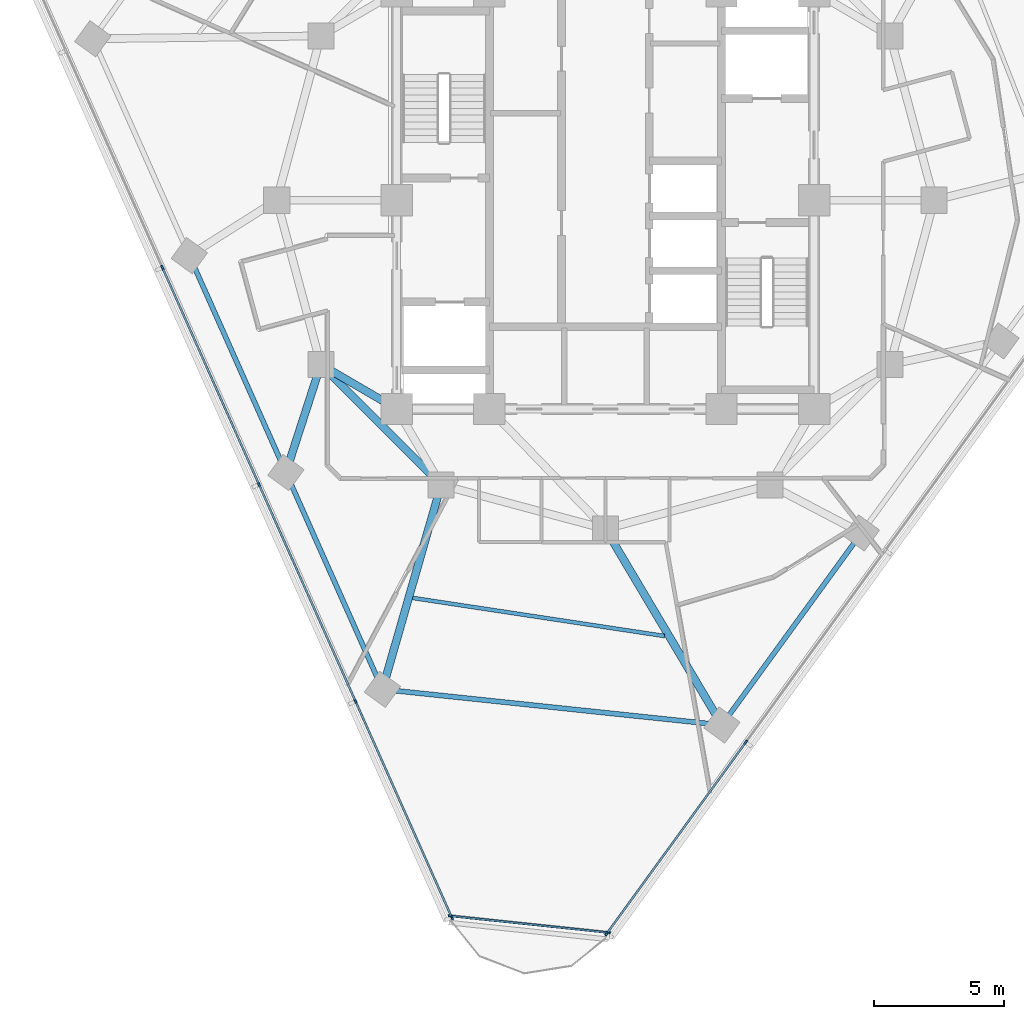
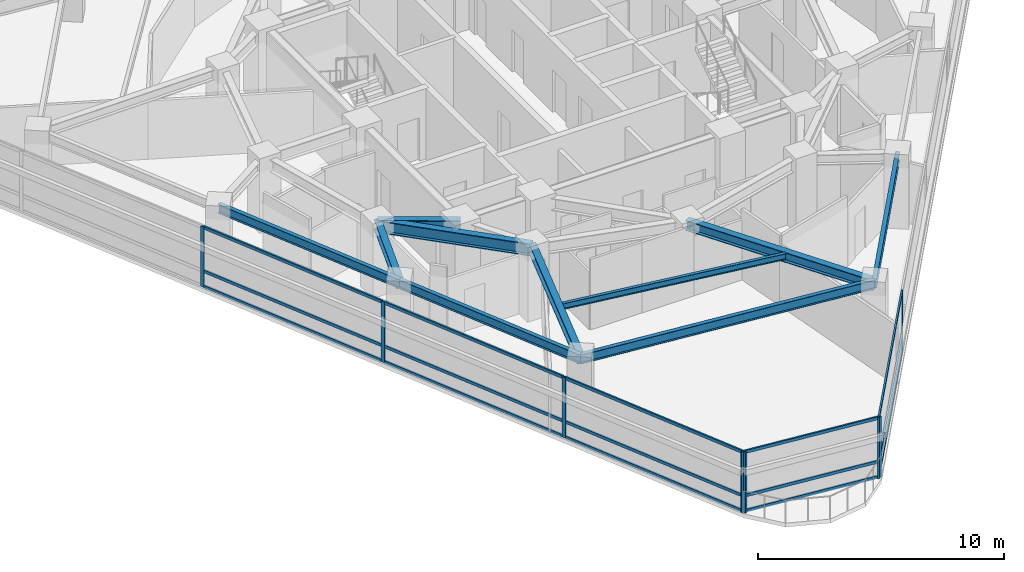
# One storey, part 2 of 15: 23 members, 10 beams, 3 elements without a shape of their own.
"""IFC4 building model written with IfcOpenShell, lengths in metres."""

from ifc_helpers import new_model, si_unit, direction, frame, origin, origin_2d, place, context, subcontext, project, spatial, rectangle, i_section, extrude, material, layer, layer_set, material_profile, profile_set, type_object, element, aggregate, save


model = new_model("IFC4")

# Units and contexts
model_context = context("Model", 3, precision=1e-05, world=origin(), true_north=direction((0.0, 1.0)))
body_context = subcontext(model_context, "Body", "Model", "MODEL_VIEW")
ifc_project = project(units=[si_unit("LENGTHUNIT", "METRE"), si_unit("AREAUNIT", "SQUARE_METRE"), si_unit("VOLUMEUNIT", "CUBIC_METRE"), si_unit("PLANEANGLEUNIT", "RADIAN"), si_unit("MASSUNIT", "GRAM", prefix="KILO")], contexts=[model_context])

# Site, building, storey
site_placement = place(None, origin())
site = spatial("IfcSite", under=ifc_project, at=site_placement, CompositionType="ELEMENT")
building_placement = place(site_placement, origin())
building = spatial("IfcBuilding", under=site, at=building_placement, Name="Terralouvre Media Tower", CompositionType="ELEMENT")
storey_placement = place(building_placement, frame((0.0, 0.0, 237.39990234375)))
storey = spatial("IfcBuildingStorey", under=building, at=storey_placement, Name="L61", CompositionType="ELEMENT", Elevation=237.39990234375)

# Beam
ifc_material_1 = material(Name="Structural steel S355J2", Category="steel")
ifc_material_profile_1 = material_profile(ifc_material_1, i_section(OverallWidth=0.14990234375, OverallDepth=0.300048828125, WebThickness=0.007080078125, FlangeThickness=0.0107421875, at=origin_2d()), Name="IPE 300")
ifc_profile_set_1 = profile_set([ifc_material_profile_1], Name="Structural steel S355J2")
beam_type_1 = type_object("IfcBeamType", Name="Composite Floor Joist J-IPE300 (IPE 300)", PredefinedType="JOIST", material=ifc_profile_set_1)
beam_1_placement = place(storey_placement, frame((-7.38818359375, -15.244140625, 3.35009765625), z_axis=(0.988745338641, -0.149608339726, 0.0), x_axis=(0.149608339726, 0.988745338641, 0.0)))
element("IfcBeam", 1, at=beam_1_placement, inside=storey, type_object=beam_type_1, Name="L61 Framing Beam JT-L61-01", PredefinedType="JOIST", context=body_context, shape_type="SweptSolid", body=[
    extrude(i_section(OverallWidth=0.14990234375, OverallDepth=0.300048828125, WebThickness=0.007080078125, FlangeThickness=0.0107421875, at=origin_2d()), origin(), (0.0, 0.0, 1.0), 9.763427734375),
])

# Curtain wall, members
ifc_material_2 = material(Name="Low-iron laminated double glazing with solar-control coating", Category="glass")
ifc_layer_1 = layer(ifc_material_2, 0.1650390625, Name="Upper Executive Tower Curtain Wall CW-05")
ifc_layer_set_1 = layer_set([ifc_layer_1], Name="Low-iron laminated double glazing with solar-control coating")
curtain_wall_type_1 = type_object("IfcCurtainWallType", Name="Upper Executive Tower Curtain Wall CW-05", PredefinedType="NOTDEFINED", material=ifc_layer_set_1)
curtain_wall_1_placement = place(storey_placement, origin())
curtain_wall_1 = element("IfcCurtainWall", 2, at=curtain_wall_1_placement, inside=storey, type_object=curtain_wall_type_1, Name="L61 Facade Curtain Wall F0", PredefinedType="NOTDEFINED")
ifc_material_3 = material(Name="Anodised extruded aluminium 6063-T6", Category="aluminium")
ifc_material_profile_2 = material_profile(ifc_material_3, rectangle(XDim=0.074951171875, YDim=0.14990234375, at=origin_2d()), Name="ALU 75x150")
ifc_profile_set_2 = profile_set([ifc_material_profile_2], Name="Anodised extruded aluminium 6063-T6")
member_type_1 = type_object("IfcMemberType", Name="Curtain-Wall Horizontal Transom TR-150", PredefinedType="USERDEFINED", material=ifc_profile_set_2)
member_1_placement = place(storey_placement, frame((0.072998046875, -28.0810546875, 0.03759765625), z_axis=(0.587774298355, 0.809024952763, 0.0), x_axis=(-0.809024952763, 0.587774298355, 0.0)))
member_1 = element("IfcMember", 3, at=member_1_placement, type_object=member_type_1, Name="CW-05 transom 1.1", ObjectType="TRANSOM", PredefinedType="USERDEFINED", context=body_context, shape_type="SweptSolid", body=[
    extrude(rectangle(XDim=0.074951171875, YDim=0.14990234375, at=origin_2d()), origin(), (0.0, 0.0, 1.0), 8.987548828125),
])
member_2_placement = place(storey_placement, frame((0.072998046875, -28.0810546875, 0.800048828125), z_axis=(0.587774298355, 0.809024952763, 0.0), x_axis=(-0.809024952763, 0.587774298355, 0.0)))
member_2 = element("IfcMember", 4, at=member_2_placement, type_object=member_type_1, Name="CW-05 transom 1.2", ObjectType="TRANSOM", PredefinedType="USERDEFINED", context=body_context, shape_type="SweptSolid", body=[
    extrude(rectangle(XDim=0.074951171875, YDim=0.14990234375, at=origin_2d()), origin(), (0.0, 0.0, 1.0), 8.987548828125),
])
member_3_placement = place(storey_placement, frame((0.072998046875, -28.0810546875, 2.962646484375), z_axis=(0.587774298355, 0.809024952763, 0.0), x_axis=(-0.809024952763, 0.587774298355, 0.0)))
member_3 = element("IfcMember", 5, at=member_3_placement, type_object=member_type_1, Name="CW-05 transom 1.3", ObjectType="TRANSOM", PredefinedType="USERDEFINED", context=body_context, shape_type="SweptSolid", body=[
    extrude(rectangle(XDim=0.074951171875, YDim=0.14990234375, at=origin_2d()), origin(), (0.0, 0.0, 1.0), 8.987548828125),
])

curtain_wall_2_placement = place(storey_placement, origin())
curtain_wall_2 = element("IfcCurtainWall", 6, at=curtain_wall_2_placement, inside=storey, type_object=curtain_wall_type_1, Name="L61 Facade Curtain Wall F2", PredefinedType="NOTDEFINED")
member_4_placement = place(storey_placement, frame((-16.968017578125, -2.614990234375, 0.03759765625), z_axis=(0.406740753437, -0.913543627581, 0.0), x_axis=(0.913543627581, 0.406740753437, 0.0)))
member_4 = element("IfcMember", 7, at=member_4_placement, type_object=member_type_1, Name="CW-05 transom 3.1", ObjectType="TRANSOM", PredefinedType="USERDEFINED", context=body_context, shape_type="SweptSolid", body=[
    extrude(rectangle(XDim=0.074951171875, YDim=0.14990234375, at=origin_2d()), origin(), (0.0, 0.0, 1.0), 9.025146484375),
])
member_5_placement = place(storey_placement, frame((-16.968017578125, -2.614990234375, 0.800048828125), z_axis=(0.406740753437, -0.913543627581, 0.0), x_axis=(0.913543627581, 0.406740753437, 0.0)))
member_5 = element("IfcMember", 8, at=member_5_placement, type_object=member_type_1, Name="CW-05 transom 3.2", ObjectType="TRANSOM", PredefinedType="USERDEFINED", context=body_context, shape_type="SweptSolid", body=[
    extrude(rectangle(XDim=0.074951171875, YDim=0.14990234375, at=origin_2d()), origin(), (0.0, 0.0, 1.0), 9.025146484375),
])
member_6_placement = place(storey_placement, frame((-16.968017578125, -2.614990234375, 2.962646484375), z_axis=(0.406740753437, -0.913543627581, 0.0), x_axis=(0.913543627581, 0.406740753437, 0.0)))
member_6 = element("IfcMember", 9, at=member_6_placement, type_object=member_type_1, Name="CW-05 transom 3.3", ObjectType="TRANSOM", PredefinedType="USERDEFINED", context=body_context, shape_type="SweptSolid", body=[
    extrude(rectangle(XDim=0.074951171875, YDim=0.14990234375, at=origin_2d()), origin(), (0.0, 0.0, 1.0), 9.025146484375),
])
member_7_placement = place(storey_placement, frame((-13.2666015625, -10.928466796875, 0.03759765625), z_axis=(0.406728228643, -0.913549203943, 0.0), x_axis=(0.913549203943, 0.406728228643, 0.0)))
member_7 = element("IfcMember", 10, at=member_7_placement, type_object=member_type_1, Name="CW-05 transom 4.1", ObjectType="TRANSOM", PredefinedType="USERDEFINED", context=body_context, shape_type="SweptSolid", body=[
    extrude(rectangle(XDim=0.074951171875, YDim=0.14990234375, at=origin_2d()), origin(), (0.0, 0.0, 1.0), 9.02490234375),
])
member_8_placement = place(storey_placement, frame((-13.2666015625, -10.928466796875, 0.800048828125), z_axis=(0.406728228643, -0.913549203943, 0.0), x_axis=(0.913549203943, 0.406728228643, 0.0)))
member_8 = element("IfcMember", 11, at=member_8_placement, type_object=member_type_1, Name="CW-05 transom 4.2", ObjectType="TRANSOM", PredefinedType="USERDEFINED", context=body_context, shape_type="SweptSolid", body=[
    extrude(rectangle(XDim=0.074951171875, YDim=0.14990234375, at=origin_2d()), origin(), (0.0, 0.0, 1.0), 9.02490234375),
])
member_9_placement = place(storey_placement, frame((-13.2666015625, -10.928466796875, 2.962646484375), z_axis=(0.406728228643, -0.913549203943, 0.0), x_axis=(0.913549203943, 0.406728228643, 0.0)))
member_9 = element("IfcMember", 12, at=member_9_placement, type_object=member_type_1, Name="CW-05 transom 4.3", ObjectType="TRANSOM", PredefinedType="USERDEFINED", context=body_context, shape_type="SweptSolid", body=[
    extrude(rectangle(XDim=0.074951171875, YDim=0.14990234375, at=origin_2d()), origin(), (0.0, 0.0, 1.0), 9.02490234375),
])
member_10_placement = place(storey_placement, frame((-9.5654296875, -19.24169921875, 0.03759765625), z_axis=(0.406735720677, -0.913545868321, 0.0), x_axis=(0.913545868321, 0.406735720677, 0.0)))
member_10 = element("IfcMember", 13, at=member_10_placement, type_object=member_type_1, Name="CW-05 transom 5.1", ObjectType="TRANSOM", PredefinedType="USERDEFINED", context=body_context, shape_type="SweptSolid", body=[
    extrude(rectangle(XDim=0.074951171875, YDim=0.14990234375, at=origin_2d()), origin(), (0.0, 0.0, 1.0), 8.987548828125),
])
member_11_placement = place(storey_placement, frame((-9.5654296875, -19.24169921875, 0.800048828125), z_axis=(0.406735720677, -0.913545868321, 0.0), x_axis=(0.913545868321, 0.406735720677, 0.0)))
member_11 = element("IfcMember", 14, at=member_11_placement, type_object=member_type_1, Name="CW-05 transom 5.2", ObjectType="TRANSOM", PredefinedType="USERDEFINED", context=body_context, shape_type="SweptSolid", body=[
    extrude(rectangle(XDim=0.074951171875, YDim=0.14990234375, at=origin_2d()), origin(), (0.0, 0.0, 1.0), 8.987548828125),
])
member_12_placement = place(storey_placement, frame((-9.5654296875, -19.24169921875, 2.962646484375), z_axis=(0.406735720677, -0.913545868321, 0.0), x_axis=(0.913545868321, 0.406735720677, 0.0)))
member_12 = element("IfcMember", 15, at=member_12_placement, type_object=member_type_1, Name="CW-05 transom 5.3", ObjectType="TRANSOM", PredefinedType="USERDEFINED", context=body_context, shape_type="SweptSolid", body=[
    extrude(rectangle(XDim=0.074951171875, YDim=0.14990234375, at=origin_2d()), origin(), (0.0, 0.0, 1.0), 8.987548828125),
])

ifc_material_4 = material(Name="Low-iron laminated double glazing with solar-control coating", Category="glass")
ifc_layer_2 = layer(ifc_material_4, 0.1650390625, Name="Rounded Wind-Corner Curved Glazing CW-04")
ifc_layer_set_2 = layer_set([ifc_layer_2], Name="Low-iron laminated double glazing with solar-control coating")
curtain_wall_type_2 = type_object("IfcCurtainWallType", Name="Rounded Wind-Corner Curved Glazing CW-04", PredefinedType="NOTDEFINED", material=ifc_layer_set_2)
curtain_wall_3_placement = place(storey_placement, origin())
curtain_wall_3 = element("IfcCurtainWall", 16, at=curtain_wall_3_placement, inside=storey, type_object=curtain_wall_type_2, Name="L61 Rounded Wind-Corner Curtain Wall C0", PredefinedType="NOTDEFINED")
member_13_placement = place(storey_placement, frame((-5.899658203125, -27.43798828125, 0.03759765625), z_axis=(0.994519048003, -0.104555550594, 0.0), x_axis=(0.104555550594, 0.994519048003, 0.0)))
member_13 = element("IfcMember", 17, at=member_13_placement, type_object=member_type_1, Name="CW-04 transom 1.1", ObjectType="TRANSOM", PredefinedType="USERDEFINED", context=body_context, shape_type="SweptSolid", body=[
    extrude(rectangle(XDim=0.074951171875, YDim=0.14990234375, at=origin_2d()), origin(), (0.0, 0.0, 1.0), 5.998779296875),
])
member_14_placement = place(storey_placement, frame((-5.899658203125, -27.43798828125, 0.800048828125), z_axis=(0.994519048003, -0.104555550594, 0.0), x_axis=(0.104555550594, 0.994519048003, 0.0)))
member_14 = element("IfcMember", 18, at=member_14_placement, type_object=member_type_1, Name="CW-04 transom 1.2", ObjectType="TRANSOM", PredefinedType="USERDEFINED", context=body_context, shape_type="SweptSolid", body=[
    extrude(rectangle(XDim=0.074951171875, YDim=0.14990234375, at=origin_2d()), origin(), (0.0, 0.0, 1.0), 5.998779296875),
])
member_15_placement = place(storey_placement, frame((-5.899658203125, -27.43798828125, 2.962646484375), z_axis=(0.994519048003, -0.104555550594, 0.0), x_axis=(0.104555550594, 0.994519048003, 0.0)))
member_15 = element("IfcMember", 19, at=member_15_placement, type_object=member_type_1, Name="CW-04 transom 1.3", ObjectType="TRANSOM", PredefinedType="USERDEFINED", context=body_context, shape_type="SweptSolid", body=[
    extrude(rectangle(XDim=0.074951171875, YDim=0.14990234375, at=origin_2d()), origin(), (0.0, 0.0, 1.0), 5.998779296875),
])

# Member
ifc_material_5 = material(Name="Anodised extruded aluminium 6063-T6", Category="aluminium")
ifc_material_profile_3 = material_profile(ifc_material_5, rectangle(XDim=0.074951171875, YDim=0.179931640625, at=origin_2d()), Name="ALU 75x180")
ifc_profile_set_3 = profile_set([ifc_material_profile_3], Name="Anodised extruded aluminium 6063-T6")
member_type_2 = type_object("IfcMemberType", Name="Curtain-Wall Vertical Mullion ML-180", PredefinedType="MULLION", material=ifc_profile_set_3)
member_16_placement = place(storey_placement, frame((0.051025390625, -28.111328125, 0.0), z_axis=(0.0, 0.0, 1.0), x_axis=(-0.809016959074, 0.587785300879, 0.0)))
member_16 = element("IfcMember", 20, at=member_16_placement, type_object=member_type_2, Name="CW-05 mullion 1", PredefinedType="MULLION", context=body_context, shape_type="SweptSolid", body=[
    extrude(rectangle(XDim=0.074951171875, YDim=0.179931640625, at=origin_2d()), origin(), (0.0, 0.0, 1.0), 3.0),
])

member_17_placement = place(storey_placement, frame((5.3779296875, -20.779541015625, 0.0), z_axis=(0.0, 0.0, 1.0), x_axis=(-0.809016959074, 0.587785300879, 0.0)))
member_17 = element("IfcMember", 21, at=member_17_placement, type_object=member_type_2, Name="CW-05 mullion 2", PredefinedType="MULLION", context=body_context, shape_type="SweptSolid", body=[
    extrude(rectangle(XDim=0.074951171875, YDim=0.179931640625, at=origin_2d()), origin(), (0.0, 0.0, 1.0), 3.0),
])

aggregate(curtain_wall_1, [member_16, member_17, member_1, member_2, member_3])

member_18_placement = place(storey_placement, frame((-16.983154296875, -2.580810546875, 0.0), z_axis=(0.0, 0.0, 1.0), x_axis=(0.913545441365, 0.406736679636, 0.0)))
member_18 = element("IfcMember", 22, at=member_18_placement, type_object=member_type_2, Name="CW-05 mullion 3", PredefinedType="MULLION", context=body_context, shape_type="SweptSolid", body=[
    extrude(rectangle(XDim=0.074951171875, YDim=0.179931640625, at=origin_2d()), origin(), (0.0, 0.0, 1.0), 3.0),
])

member_19_placement = place(storey_placement, frame((-13.281982421875, -10.89404296875, 0.0), z_axis=(0.0, 0.0, 1.0), x_axis=(0.913545441365, 0.406736679636, 0.0)))
member_19 = element("IfcMember", 23, at=member_19_placement, type_object=member_type_2, Name="CW-05 mullion 4", PredefinedType="MULLION", context=body_context, shape_type="SweptSolid", body=[
    extrude(rectangle(XDim=0.074951171875, YDim=0.179931640625, at=origin_2d()), origin(), (0.0, 0.0, 1.0), 3.0),
])

member_20_placement = place(storey_placement, frame((-9.58056640625, -19.207275390625, 0.0), z_axis=(0.0, 0.0, 1.0), x_axis=(0.913545441365, 0.406736679636, 0.0)))
member_20 = element("IfcMember", 24, at=member_20_placement, type_object=member_type_2, Name="CW-05 mullion 5", PredefinedType="MULLION", context=body_context, shape_type="SweptSolid", body=[
    extrude(rectangle(XDim=0.074951171875, YDim=0.179931640625, at=origin_2d()), origin(), (0.0, 0.0, 1.0), 3.0),
])

member_21_placement = place(storey_placement, frame((-5.89453125, -27.486328125, 0.0), z_axis=(0.0, 0.0, 1.0), x_axis=(0.913545441365, 0.406736679636, 0.0)))
member_21 = element("IfcMember", 25, at=member_21_placement, type_object=member_type_2, Name="CW-05 mullion 6", PredefinedType="MULLION", context=body_context, shape_type="SweptSolid", body=[
    extrude(rectangle(XDim=0.074951171875, YDim=0.179931640625, at=origin_2d()), origin(), (0.0, 0.0, 1.0), 3.0),
])

aggregate(curtain_wall_2, [member_18, member_19, member_20, member_21, member_4, member_5, member_6, member_7, member_8, member_9, member_10, member_11, member_12])

member_22_placement = place(storey_placement, frame((-5.93701171875, -27.43408203125, 0.0), z_axis=(0.0, 0.0, 1.0), x_axis=(0.104527995322, 0.994521944551, 0.0)))
member_22 = element("IfcMember", 26, at=member_22_placement, type_object=member_type_2, Name="CW-04 mullion 1", PredefinedType="MULLION", context=body_context, shape_type="SweptSolid", body=[
    extrude(rectangle(XDim=0.074951171875, YDim=0.179931640625, at=origin_2d()), origin(), (0.0, 0.0, 1.0), 3.0),
])

member_23_placement = place(storey_placement, frame((0.103515625, -28.069091796875, 0.0), z_axis=(0.0, 0.0, 1.0), x_axis=(0.104527995322, 0.994521944551, 0.0)))
member_23 = element("IfcMember", 27, at=member_23_placement, type_object=member_type_2, Name="CW-04 mullion 2", PredefinedType="MULLION", context=body_context, shape_type="SweptSolid", body=[
    extrude(rectangle(XDim=0.074951171875, YDim=0.179931640625, at=origin_2d()), origin(), (0.0, 0.0, 1.0), 3.0),
])

aggregate(curtain_wall_3, [member_22, member_23, member_13, member_14, member_15])

# Beams
ifc_material_6 = material(Name="Structural steel S355J2", Category="steel")
ifc_material_profile_4 = material_profile(ifc_material_6, i_section(OverallWidth=0.18994140625, OverallDepth=0.449951171875, WebThickness=0.009521484375, FlangeThickness=0.0146484375, at=origin_2d()), Name="IPE 450")
ifc_profile_set_4 = profile_set([ifc_material_profile_4], Name="Structural steel S355J2")
beam_type_2 = type_object("IfcBeamType", Name="Perimeter Spandrel Beam SPB-450 (IPE 450)", PredefinedType="SPANDREL", material=ifc_profile_set_4)
beam_2_placement = place(storey_placement, frame((-15.950927734375, -2.121337890625, 3.275146484375), z_axis=(0.406725851667, -0.913550262211, 0.0), x_axis=(0.913550262211, 0.406725851667, 0.0)))
element("IfcBeam", 28, at=beam_2_placement, inside=storey, type_object=beam_type_2, Name="L61 Framing Beam BM-L61-PR01", PredefinedType="SPANDREL", context=body_context, shape_type="SweptSolid", body=[
    extrude(i_section(OverallWidth=0.18994140625, OverallDepth=0.449951171875, WebThickness=0.009521484375, FlangeThickness=0.0146484375, at=origin_2d()), origin(), (0.0, 0.0, 1.0), 9.099853515625),
])
beam_3_placement = place(storey_placement, frame((-12.249755859375, -10.4345703125, 3.275146484375), z_axis=(0.40674824199, -0.913540293385, 0.0), x_axis=(0.913540293385, 0.40674824199, 0.0)))
element("IfcBeam", 29, at=beam_3_placement, inside=storey, type_object=beam_type_2, Name="L61 Framing Beam BM-L61-PR02", PredefinedType="SPANDREL", context=body_context, shape_type="SweptSolid", body=[
    extrude(i_section(OverallWidth=0.18994140625, OverallDepth=0.449951171875, WebThickness=0.009521484375, FlangeThickness=0.0146484375, at=origin_2d()), origin(), (0.0, 0.0, 1.0), 9.10009765625),
])
beam_4_placement = place(storey_placement, frame((-8.54833984375, -18.747802734375, 3.275146484375), z_axis=(0.994521391833, -0.104533253974, 0.0), x_axis=(0.104533253974, 0.994521391833, 0.0)))
element("IfcBeam", 30, at=beam_4_placement, inside=storey, type_object=beam_type_2, Name="L61 Framing Beam BM-L61-PR03", PredefinedType="SPANDREL", context=body_context, shape_type="SweptSolid", body=[
    extrude(i_section(OverallWidth=0.18994140625, OverallDepth=0.449951171875, WebThickness=0.009521484375, FlangeThickness=0.0146484375, at=origin_2d()), origin(), (0.0, 0.0, 1.0), 13.083740234375),
])
beam_5_placement = place(storey_placement, frame((4.463623046875, -20.115478515625, 3.275146484375), z_axis=(0.587787185033, 0.809015590153, 0.0), x_axis=(-0.809015590153, 0.587787185033, 0.0)))
element("IfcBeam", 31, at=beam_5_placement, inside=storey, type_object=beam_type_2, Name="L61 Framing Beam BM-L61-PR04", PredefinedType="SPANDREL", context=body_context, shape_type="SweptSolid", body=[
    extrude(i_section(OverallWidth=0.18994140625, OverallDepth=0.449951171875, WebThickness=0.009521484375, FlangeThickness=0.0146484375, at=origin_2d()), origin(), (0.0, 0.0, 1.0), 9.10009765625),
])
ifc_material_7 = material(Name="Structural steel S355J2", Category="steel")
ifc_material_profile_5 = material_profile(ifc_material_7, i_section(OverallWidth=0.300048828125, OverallDepth=0.5, WebThickness=0.014404296875, FlangeThickness=0.028076171875, at=origin_2d()), Name="HEB 500")
ifc_profile_set_5 = profile_set([ifc_material_profile_5], Name="Structural steel S355J2")
beam_type_3 = type_object("IfcBeamType", Name="Primary Floor Girder B-HEB500 (HEB 500)", PredefinedType="BEAM", material=ifc_profile_set_5)
beam_6_placement = place(storey_placement, frame((-10.911865234375, -6.300048828125, 3.25), z_axis=(-0.307872638555, -0.951427579183, 0.0), x_axis=(0.951427579183, -0.307872638555, 0.0)))
element("IfcBeam", 32, at=beam_6_placement, inside=storey, type_object=beam_type_3, Name="L61 Framing Beam BM-L61-RD02", PredefinedType="BEAM", context=body_context, shape_type="SweptSolid", body=[
    extrude(i_section(OverallWidth=0.300048828125, OverallDepth=0.5, WebThickness=0.014404296875, FlangeThickness=0.028076171875, at=origin_2d()), origin(), (0.0, 0.0, 1.0), 4.345703125),
])
beam_7_placement = place(storey_placement, frame((-6.300048828125, -10.911865234375, 3.25), z_axis=(-0.275792876342, -0.96121708753, 0.0), x_axis=(0.96121708753, -0.275792876342, 0.0)))
element("IfcBeam", 33, at=beam_7_placement, inside=storey, type_object=beam_type_3, Name="L61 Framing Beam BM-L61-RD03", PredefinedType="BEAM", context=body_context, shape_type="SweptSolid", body=[
    extrude(i_section(OverallWidth=0.300048828125, OverallDepth=0.5, WebThickness=0.014404296875, FlangeThickness=0.028076171875, at=origin_2d()), origin(), (0.0, 0.0, 1.0), 8.152099609375),
])
beam_8_placement = place(storey_placement, frame((0.0, -12.60009765625, 3.25), z_axis=(0.510654263047, -0.859786149942, 0.0), x_axis=(0.859786149942, 0.510654263047, 0.0)))
element("IfcBeam", 34, at=beam_8_placement, inside=storey, type_object=beam_type_3, Name="L61 Framing Beam BM-L61-RD04", PredefinedType="BEAM", context=body_context, shape_type="SweptSolid", body=[
    extrude(i_section(OverallWidth=0.300048828125, OverallDepth=0.5, WebThickness=0.014404296875, FlangeThickness=0.028076171875, at=origin_2d()), origin(), (0.0, 0.0, 1.0), 8.740966796875),
])
ifc_material_8 = material(Name="Structural steel S460M", Category="steel")
ifc_material_profile_6 = material_profile(ifc_material_8, i_section(OverallWidth=0.300048828125, OverallDepth=0.60009765625, WebThickness=0.015380859375, FlangeThickness=0.030029296875, at=origin_2d()), Name="HEB 600")
ifc_profile_set_6 = profile_set([ifc_material_profile_6], Name="Structural steel S460M")
beam_type_4 = type_object("IfcBeamType", Name="Primary Floor Girder B-HEB600 (HEB 600)", PredefinedType="BEAM", material=ifc_profile_set_6)
beam_9_placement = place(storey_placement, frame((-10.911865234375, -6.300048828125, 3.2001953125), z_axis=(0.707106781187, -0.707106781187, 0.0), x_axis=(0.707106781187, 0.707106781187, 0.0)))
element("IfcBeam", 35, at=beam_9_placement, inside=storey, type_object=beam_type_4, Name="L61 Framing Beam BM-L61-MR01", PredefinedType="BEAM", context=body_context, shape_type="SweptSolid", body=[
    extrude(i_section(OverallWidth=0.300048828125, OverallDepth=0.60009765625, WebThickness=0.015380859375, FlangeThickness=0.030029296875, at=origin_2d()), origin(), (0.0, 0.0, 1.0), 6.52197265625),
])
beam_10_placement = place(storey_placement, frame((-8.0, -8.0, 3.2001953125), z_axis=(-0.863602894532, 0.504172629717, 0.0), x_axis=(-0.504172629717, -0.863602894532, 0.0)))
element("IfcBeam", 36, at=beam_10_placement, inside=storey, type_object=beam_type_4, Name="L61 Framing Beam BM-L61-CM01", PredefinedType="BEAM", context=body_context, shape_type="SweptSolid", body=[
    extrude(i_section(OverallWidth=0.300048828125, OverallDepth=0.60009765625, WebThickness=0.015380859375, FlangeThickness=0.030029296875, at=origin_2d()), origin(), (0.0, 0.0, 1.0), 3.371826171875),
])

save(model, "model.ifc")
